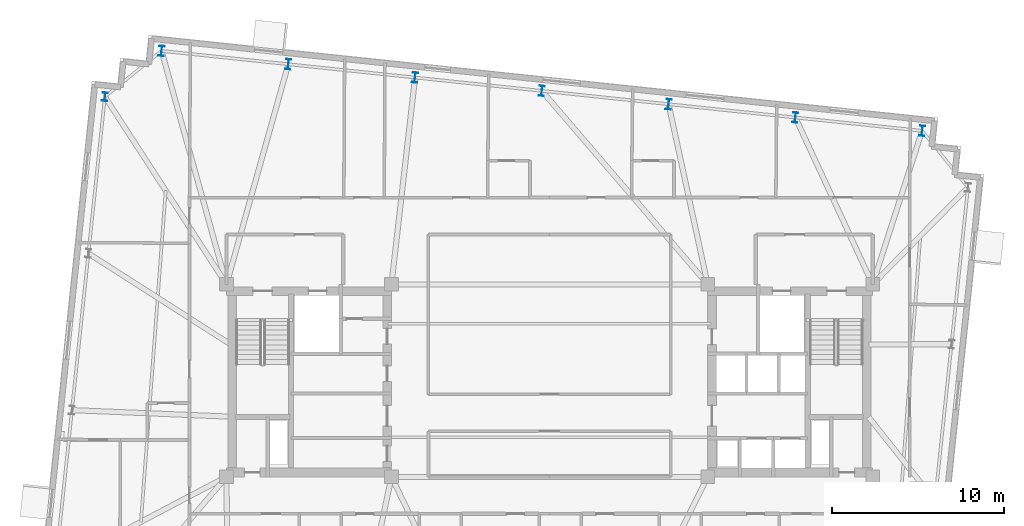
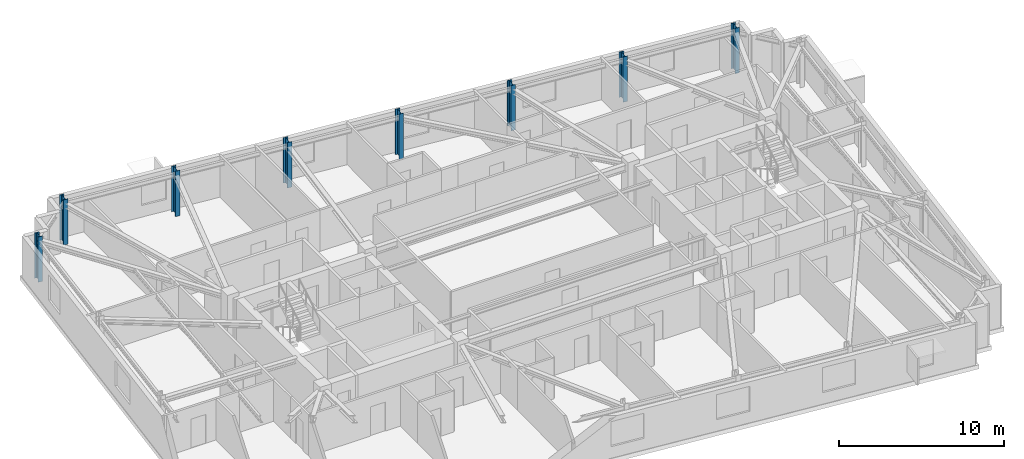
# One storey, part 3 of 11: 8 columns.
"""IFC4 building model written with IfcOpenShell, lengths in metres."""

from ifc_helpers import new_model, si_unit, direction, frame, origin, origin_2d, place, context, subcontext, project, spatial, i_section, extrude, material, material_profile, profile_set, type_object, element, save


model = new_model("IFC4")

# Units and contexts
model_context = context("Model", 3, precision=1e-05, world=origin(), true_north=direction((0.0, 1.0)))
body_context = subcontext(model_context, "Body", "Model", "MODEL_VIEW")
ifc_project = project(units=[si_unit("LENGTHUNIT", "METRE"), si_unit("AREAUNIT", "SQUARE_METRE"), si_unit("VOLUMEUNIT", "CUBIC_METRE"), si_unit("PLANEANGLEUNIT", "RADIAN"), si_unit("MASSUNIT", "GRAM", prefix="KILO")], contexts=[model_context])

# Site, building, storey
site_placement = place(None, origin())
site = spatial("IfcSite", under=ifc_project, at=site_placement, CompositionType="ELEMENT")
building_placement = place(site_placement, origin())
building = spatial("IfcBuilding", under=site, at=building_placement, Name="Qobustan Lattice House", CompositionType="ELEMENT")
storey_placement = place(building_placement, frame((0.0, 0.0, 206.449951171875)))
storey = spatial("IfcBuildingStorey", under=building, at=storey_placement, Name="L58", CompositionType="ELEMENT", Elevation=206.449951171875)

# Columns
ifc_material_1 = material(Name="Steel S355", Category="steel")
ifc_material_profile_1 = material_profile(ifc_material_1, i_section(OverallWidth=0.300048828125, OverallDepth=0.5, WebThickness=0.014404296875, FlangeThickness=0.028076171875, FilletRadius=0.027099609375, at=origin_2d()), Name="HEB500")
ifc_profile_set_1 = profile_set([ifc_material_profile_1], Name="Steel S355")
column_type_1 = type_object("IfcColumnType", Name="COL-ST-HEB500", PredefinedType="COLUMN", material=ifc_profile_set_1)
column_placement = place(storey_placement, frame((-25.87451171875, 16.513916015625, 0.0), z_axis=(0.0, 0.0, 1.0), x_axis=(0.994521895368, -0.104528463268, 0.0)))
element("IfcColumn", 1, at=column_placement, inside=storey, type_object=column_type_1, Name="L58 B4 perimeter column W1", PredefinedType="COLUMN", context=body_context, shape_type="SweptSolid", body=[
    extrude(i_section(OverallWidth=0.300048828125, OverallDepth=0.5, WebThickness=0.014404296875, FlangeThickness=0.028076171875, FilletRadius=0.027099609375, at=origin_2d()), origin(), (0.0, 0.0, 1.0), 3.35009765625),
])
ifc_material_2 = material(Name="Steel S355", Category="steel")
ifc_material_profile_2 = material_profile(ifc_material_2, i_section(OverallWidth=0.300048828125, OverallDepth=0.60009765625, WebThickness=0.015380859375, FlangeThickness=0.030029296875, FilletRadius=0.027099609375, at=origin_2d()), Name="HEB600")
ifc_profile_set_2 = profile_set([ifc_material_profile_2], Name="Steel S355")
column_type_2 = type_object("IfcColumnType", Name="COL-ST-HEB600", PredefinedType="COLUMN", material=ifc_profile_set_2)
for number, where, z_axis, x_axis, name in (
    (2, (21.678955078125, 14.532470703125, 0.0), (0.0, 0.0, 1.0), (0.994521895368, -0.104528463268, 0.0), "L58 B4 perimeter column N1"),
    (3, (14.302978515625, 15.3076171875, 0.0), (0.0, 0.0, 1.0), (0.994521895368, -0.104528463268, 0.0), "L58 B4 perimeter column N2"),
    (4, (6.927001953125, 16.0830078125, 0.0), (0.0, 0.0, 1.0), (0.994521895368, -0.104528463268, 0.0), "L58 B4 perimeter column N3"),
    (5, (-0.44921875, 16.858154296875, 0.0), (0.0, 0.0, 1.0), (0.994521895368, -0.104528463268, 0.0), "L58 B4 perimeter column N4"),
    (6, (-7.8251953125, 17.633544921875, 0.0), (0.0, 0.0, 1.0), (0.994521895368, -0.104528463268, 0.0), "L58 B4 perimeter column N5"),
    (7, (-15.201171875, 18.40869140625, 0.0), (0.0, 0.0, 1.0), (0.994521895368, -0.104528463268, 0.0), "L58 B4 perimeter column N6"),
    (8, (-22.577392578125, 19.18408203125, 0.0), (0.0, 0.0, 1.0), (0.994521895368, -0.104528463268, 0.0), "L58 B4 perimeter column N7"),
):
    element("IfcColumn", number, at=place(storey_placement, frame(where, z_axis=z_axis, x_axis=x_axis)), inside=storey, type_object=column_type_2, Name=name, PredefinedType="COLUMN", context=body_context, shape_type="SweptSolid", body=[
        extrude(i_section(OverallWidth=0.300048828125, OverallDepth=0.60009765625, WebThickness=0.015380859375, FlangeThickness=0.030029296875, FilletRadius=0.027099609375, at=origin_2d()), origin(), (0.0, 0.0, 1.0), 3.35009765625),
    ])

save(model, "model.ifc")
